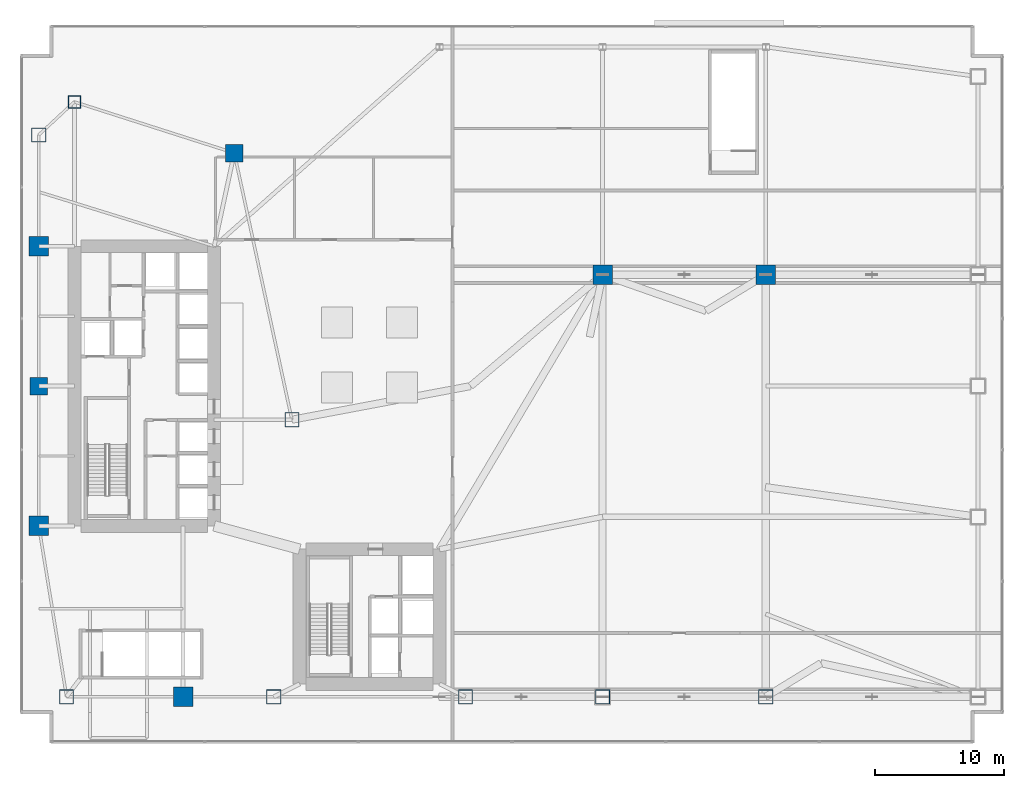
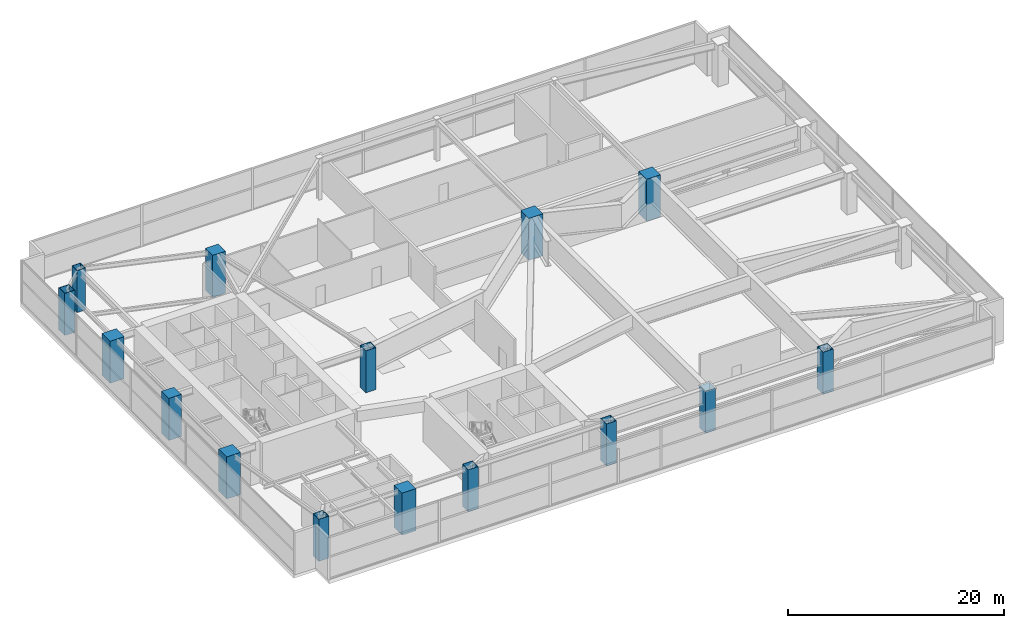
# One storey, part 1 of 36: 15 columns.
"""IFC4 building model written with IfcOpenShell, lengths in metres."""

from ifc_helpers import new_model, si_unit, direction, frame, origin, origin_2d, place, context, subcontext, project, spatial, rectangle, hollow_rectangle, extrude, material, material_profile, profile_set, type_object, element, save


model = new_model("IFC4")

# Units and contexts
model_context = context("Model", 3, precision=1e-05, world=origin(), true_north=direction((0.0, 1.0)))
body_context = subcontext(model_context, "Body", "Model", "MODEL_VIEW")
ifc_project = project(units=[si_unit("LENGTHUNIT", "METRE"), si_unit("AREAUNIT", "SQUARE_METRE"), si_unit("VOLUMEUNIT", "CUBIC_METRE"), si_unit("PLANEANGLEUNIT", "RADIAN"), si_unit("MASSUNIT", "GRAM", prefix="KILO")], contexts=[model_context])

# Site, building, storey
site_placement = place(None, origin())
site = spatial("IfcSite", under=ifc_project, at=site_placement, CompositionType="ELEMENT")
building_placement = place(site_placement, origin())
building = spatial("IfcBuilding", under=site, at=building_placement, Name="Calvorn Quay Hotel", CompositionType="ELEMENT")
storey_placement = place(building_placement, frame((0.0, 0.0, 22.0)))
storey = spatial("IfcBuildingStorey", under=building, at=storey_placement, Name="L04", CompositionType="ELEMENT", Elevation=22.0)

# Columns
ifc_material_1 = material(Name="Concrete C60", Category="concrete")
ifc_material_profile_1 = material_profile(ifc_material_1, rectangle(XDim=1.35009765625, YDim=1.35009765625, at=origin_2d()), Name="RC1350x1350")
ifc_profile_set_1 = profile_set([ifc_material_profile_1], Name="Concrete C60")
column_type_1 = type_object("IfcColumnType", Name="COL-RC-1350", PredefinedType="COLUMN", material=ifc_profile_set_1)
for number, where, z_axis, x_axis, name in (
    (1, (1.449951171875, 27.60009765625, 0.0), (0.0, 0.0, 1.0), (1.0, 0.0, 0.0), "Column C-W3 (L04)"),
    (2, (16.550048828125, 45.60009765625, 0.0), (0.0, 0.0, 1.0), (1.0, 0.0, 0.0), "Column C-IC1 (L04)"),
):
    element("IfcColumn", number, at=place(storey_placement, frame(where, z_axis=z_axis, x_axis=x_axis)), inside=storey, type_object=column_type_1, Name=name, PredefinedType="COLUMN", context=body_context, shape_type="SweptSolid", body=[
        extrude(rectangle(XDim=1.35009765625, YDim=1.35009765625, at=origin_2d()), origin(), (0.0, 0.0, 1.0), 4.760009765625),
    ])
ifc_material_2 = material(Name="Concrete C60", Category="concrete")
ifc_material_profile_2 = material_profile(ifc_material_2, rectangle(XDim=1.5, YDim=1.5, at=origin_2d()), Name="RC1500x1500")
ifc_profile_set_2 = profile_set([ifc_material_profile_2], Name="Concrete C60")
column_type_2 = type_object("IfcColumnType", Name="COL-RC-1500", PredefinedType="COLUMN", material=ifc_profile_set_2)
for number, where, z_axis, x_axis, name in (
    (3, (1.449951171875, 16.800048828125, 0.0), (0.0, 0.0, 1.0), (1.0, 0.0, 0.0), "Column C-W2 (L04)"),
    (4, (1.449951171875, 38.39990234375, 0.0), (0.0, 0.0, 1.0), (1.0, 0.0, 0.0), "Column C-W4 (L04)"),
    (5, (12.60009765625, 3.60009765625, 0.0), (0.0, 0.0, 1.0), (1.0, 0.0, 0.0), "Column C-S1 (L04)"),
    (6, (45.0, 36.199951171875, 0.0), (0.0, 0.0, 1.0), (1.0, 0.0, 0.0), "Column C-PN1 (L04)"),
    (7, (57.60009765625, 36.199951171875, 0.0), (0.0, 0.0, 1.0), (1.0, 0.0, 0.0), "Column C-PN2 (L04)"),
):
    element("IfcColumn", number, at=place(storey_placement, frame(where, z_axis=z_axis, x_axis=x_axis)), inside=storey, type_object=column_type_2, Name=name, PredefinedType="COLUMN", context=body_context, shape_type="SweptSolid", body=[
        extrude(rectangle(XDim=1.5, YDim=1.5, at=origin_2d()), origin(), (0.0, 0.0, 1.0), 4.760009765625),
    ])
ifc_material_3 = material(Name="Steel Q420GJC", Category="steel")
ifc_material_profile_3 = material_profile(ifc_material_3, hollow_rectangle(XDim=1.10009765625, YDim=1.10009765625, WallThickness=0.044921875, at=origin_2d()), Name="BOX1100x1100x45")
ifc_profile_set_3 = profile_set([ifc_material_profile_3], Name="Steel Q420GJC")
column_type_3 = type_object("IfcColumnType", Name="COL-STL-MEGA1", PredefinedType="COLUMN", material=ifc_profile_set_3)
for number, where, z_axis, x_axis, name in (
    (8, (3.60009765625, 3.60009765625, 0.0), (0.0, 0.0, 1.0), (1.0, 0.0, 0.0), "Column C-W1 (L04)"),
    (9, (1.449951171875, 47.0, 0.0), (0.0, 0.0, 1.0), (1.0, 0.0, 0.0), "Column C-W5 (L04)"),
    (10, (21.0, 25.0, 0.0), (0.0, 0.0, 1.0), (1.0, 0.0, 0.0), "Column C-IC2 (L04)"),
    (11, (19.60009765625, 3.60009765625, 0.0), (0.0, 0.0, 1.0), (1.0, 0.0, 0.0), "Column C-S2 (L04)"),
    (12, (34.39990234375, 3.60009765625, 0.0), (0.0, 0.0, 1.0), (1.0, 0.0, 0.0), "Column C-S3 (L04)"),
    (13, (45.0, 3.60009765625, 0.0), (0.0, 0.0, 1.0), (1.0, 0.0, 0.0), "Column C-PS4 (L04)"),
    (14, (57.60009765625, 3.60009765625, 0.0), (0.0, 0.0, 1.0), (1.0, 0.0, 0.0), "Column C-PS5 (L04)"),
):
    element("IfcColumn", number, at=place(storey_placement, frame(where, z_axis=z_axis, x_axis=x_axis)), inside=storey, type_object=column_type_3, Name=name, PredefinedType="COLUMN", context=body_context, shape_type="SweptSolid", body=[
        extrude(hollow_rectangle(XDim=1.10009765625, YDim=1.10009765625, WallThickness=0.044921875, at=origin_2d()), origin(), (0.0, 0.0, 1.0), 4.760009765625),
    ])
ifc_material_4 = material(Name="Steel Q420GJC", Category="steel")
ifc_material_profile_4 = material_profile(ifc_material_4, hollow_rectangle(XDim=0.949951171875, YDim=0.949951171875, WallThickness=0.0400390625, at=origin_2d()), Name="BOX950x950x40")
ifc_profile_set_4 = profile_set([ifc_material_profile_4], Name="Steel Q420GJC")
column_type_4 = type_object("IfcColumnType", Name="COL-STL-MEGA2", PredefinedType="COLUMN", material=ifc_profile_set_4)
column_placement = place(storey_placement, frame((4.199951171875, 49.550048828125, 0.0), z_axis=(0.0, 0.0, 1.0), x_axis=(1.0, 0.0, 0.0)))
element("IfcColumn", 15, at=column_placement, inside=storey, type_object=column_type_4, Name="Column C-NW1 (L04)", PredefinedType="COLUMN", context=body_context, shape_type="SweptSolid", body=[
    extrude(hollow_rectangle(XDim=0.949951171875, YDim=0.949951171875, WallThickness=0.0400390625, at=origin_2d()), origin(), (0.0, 0.0, 1.0), 4.760009765625),
])

save(model, "model.ifc")
